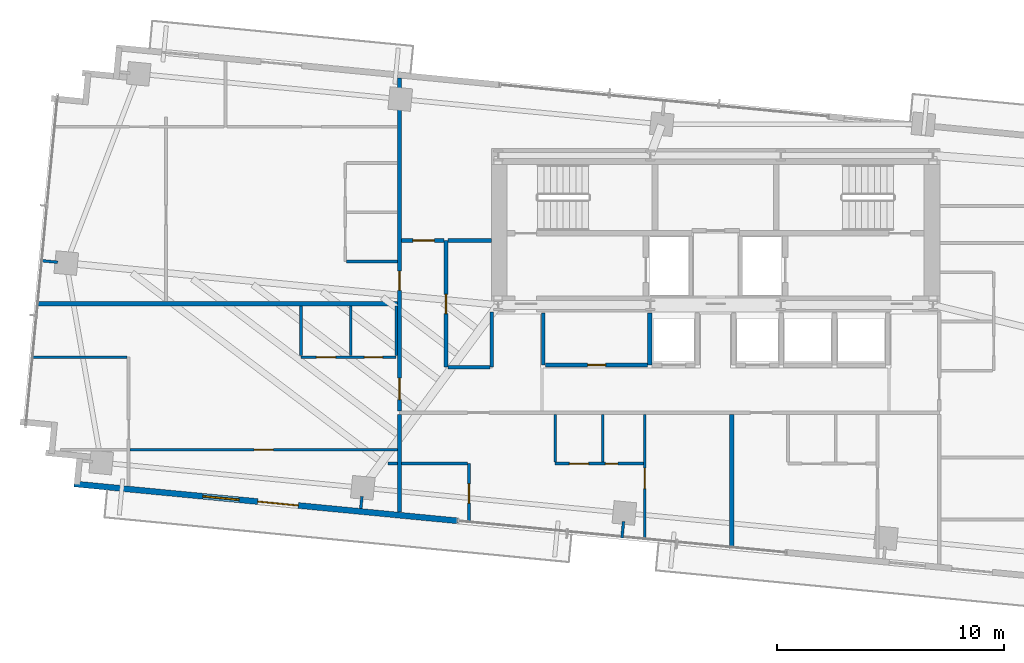
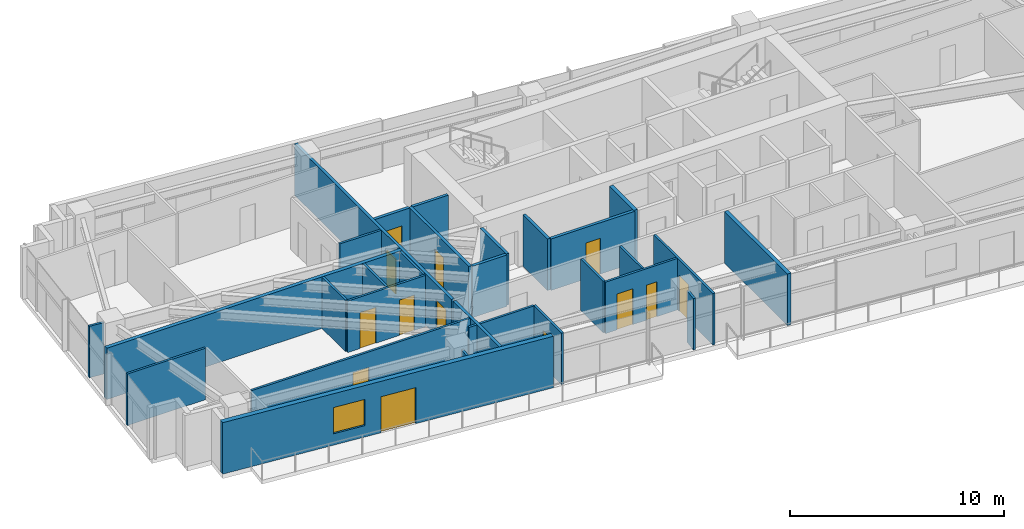
# One storey, part 15 of 20: 30 walls, 13 doors, 1 window, 14 openings.
"""IFC4 building model written with IfcOpenShell, lengths in metres."""

import ifcopenshell
import ifcopenshell.guid

model = None  # the IFC model being written
_history = None  # IfcOwnerHistory: only IFC2X3 demands one
_inside = {}  # id of a spatial element -> (the spatial element, [elements in it])
_under = {}  # id of a project, library or spatial element -> (it, [spatial elements below it])
_declared = {}  # id of a project -> (the project, [libraries it declares])
_typed = {}  # id of a type object -> (the type object, [elements of that type])
_made_of = {}  # id of a material, layer set ... -> (it, [elements and type objects made of it])


def new_model(schema):
    """Start an empty IFC model of exactly this schema.

    Asked for "IFC4X3", IfcOpenShell would pick the latest addendum, in which some entities
    have other attributes; the version numbers below select the first issue.
    IFC2X3 requires an IfcOwnerHistory on every rooted entity: one is made here for all.
    """
    global model, _history
    if schema == "IFC4X3":
        model = ifcopenshell.file(schema_version=(4, 3, 0, 0))
    else:
        model = ifcopenshell.file(schema=schema)
    _inside.clear()
    _under.clear()
    _declared.clear()
    _typed.clear()
    _made_of.clear()
    _history = None
    if model.schema == "IFC2X3":
        org = make("IfcOrganization", Name="unknown")
        user = make(
            "IfcPersonAndOrganization",
            ThePerson=make("IfcPerson", FamilyName="unknown"),
            TheOrganization=org,
        )
        app = make(
            "IfcApplication",
            ApplicationDeveloper=org,
            Version="unknown",
            ApplicationFullName="unknown",
            ApplicationIdentifier="unknown",
        )
        _history = make(
            "IfcOwnerHistory",
            OwningUser=user,
            OwningApplication=app,
            ChangeAction="ADDED",
            CreationDate=0,
        )
    return model


def make(cls, **values):
    """One entity of the class cls with the attributes given. An attribute that is None is left unset."""
    return model.create_entity(
        cls, **{name: value for name, value in values.items() if value is not None}
    )


def rooted(cls, **values):
    """An entity with a GlobalId (a new one), such as an element, a storey or a relation."""
    return make(cls, GlobalId=ifcopenshell.guid.new(), OwnerHistory=_history, **values)


def si_unit(unit_type, name, prefix=None):
    """IfcSIUnit, for example si_unit("LENGTHUNIT", "METRE", prefix="MILLI")."""
    return make("IfcSIUnit", UnitType=unit_type, Prefix=prefix, Name=name)


def assignment(units):
    """IfcUnitAssignment: the units of a project."""
    return None if units is None else make("IfcUnitAssignment", Units=units)


def point(xyz):
    """IfcCartesianPoint."""
    return None if xyz is None else make("IfcCartesianPoint", Coordinates=xyz)


def direction(xyz):
    """IfcDirection."""
    return None if xyz is None else make("IfcDirection", DirectionRatios=xyz)


def frame(location, z_axis=None, x_axis=None):
    """IfcAxis2Placement3D, a coordinate frame: its origin and axes. An axis left out is left unset."""
    return make(
        "IfcAxis2Placement3D",
        Location=point(location),
        Axis=direction(z_axis),
        RefDirection=direction(x_axis),
    )


def frame_2d(location, x_axis=None):
    """IfcAxis2Placement2D, a coordinate frame in the plane: its origin and x axis."""
    return make(
        "IfcAxis2Placement2D", Location=point(location), RefDirection=direction(x_axis)
    )


def origin():
    """The frame at (0, 0, 0) with its axes left unset."""
    return frame((0.0, 0.0, 0.0))


def place(relative_to, where):
    """IfcLocalPlacement: puts the frame where relative to a parent placement (None: the world)."""
    return make(
        "IfcLocalPlacement", PlacementRelTo=relative_to, RelativePlacement=where
    )


def context(
    kind, dimensions, precision=None, world=None, true_north=None, identifier=None
):
    """IfcGeometricRepresentationContext, for example the 3D "Model" context."""
    return make(
        "IfcGeometricRepresentationContext",
        ContextIdentifier=identifier,
        ContextType=kind,
        CoordinateSpaceDimension=dimensions,
        Precision=precision,
        WorldCoordinateSystem=world,
        TrueNorth=true_north,
    )


def subcontext(parent, identifier, kind, view, scale=None):
    """IfcGeometricRepresentationSubContext, for example "Body" below "Model"."""
    return make(
        "IfcGeometricRepresentationSubContext",
        ContextIdentifier=identifier,
        ContextType=kind,
        ParentContext=parent,
        TargetScale=scale,
        TargetView=view,
    )


def project(units=None, contexts=None):
    """IfcProject with its units and contexts."""
    return rooted(
        "IfcProject",
        Name="project",
        RepresentationContexts=contexts,
        UnitsInContext=assignment(units),
    )


def spatial(cls, under=None, at=None, **own):
    """A site, building, storey or space (cls), placed at a placement, below another one or the project."""
    s = rooted(cls, ObjectPlacement=at, **own)
    if under is not None:
        _under.setdefault(under.id(), (under, []))[1].append(s)
    return s


def profile(cls, at=None, kind="AREA", **sizes):
    """A parametric profile (cls). Its sizes go by their IFC names, for example OverallWidth=200.0."""
    return make(cls, ProfileType=kind, Position=at, **sizes)


def rectangle(**sizes):
    """IfcRectangleProfileDef."""
    return profile("IfcRectangleProfileDef", **sizes)


def extrude(swept, where, along, depth):
    """IfcExtrudedAreaSolid: the profile swept, set in the frame where, extruded along a direction by depth."""
    return make(
        "IfcExtrudedAreaSolid",
        SweptArea=swept,
        Position=where,
        ExtrudedDirection=direction(along),
        Depth=depth,
    )


def shape(context_of_items, identifier, shape_type, items):
    """IfcShapeRepresentation: the items that make up one representation, for example the "Body"."""
    return make(
        "IfcShapeRepresentation",
        ContextOfItems=context_of_items,
        RepresentationIdentifier=identifier,
        RepresentationType=shape_type,
        Items=items,
    )


def source(mapping_origin, context_of_items, identifier, shape_type, items):
    """IfcRepresentationMap: a shape defined once, which mapped items show again and again."""
    return make(
        "IfcRepresentationMap",
        MappingOrigin=mapping_origin,
        MappedRepresentation=shape(context_of_items, identifier, shape_type, items),
    )


def transform(
    local_origin,
    x_axis=None,
    y_axis=None,
    z_axis=None,
    scale=None,
    scale2=None,
    scale3=None,
    uniform=True,
):
    """IfcCartesianTransformationOperator3D, or its non-uniform kind. x_axis, y_axis, z_axis: its Axis1, 2, 3."""
    if uniform:
        return make(
            "IfcCartesianTransformationOperator3D",
            Axis1=direction(x_axis),
            Axis2=direction(y_axis),
            LocalOrigin=point(local_origin),
            Scale=scale,
            Axis3=direction(z_axis),
        )
    return make(
        "IfcCartesianTransformationOperator3DnonUniform",
        Axis1=direction(x_axis),
        Axis2=direction(y_axis),
        LocalOrigin=point(local_origin),
        Scale=scale,
        Axis3=direction(z_axis),
        Scale2=scale2,
        Scale3=scale3,
    )


def mapped(mapping_source, mapping_target):
    """IfcMappedItem: shows the shape of a source again, moved by a transform."""
    return make(
        "IfcMappedItem", MappingSource=mapping_source, MappingTarget=mapping_target
    )


def material(Name=None, Category=None):
    """IfcMaterial."""
    return make("IfcMaterial", Name=Name, Category=Category)


def layer(
    of_material, thickness, ventilated=None, Name=None, Category=None, Priority=None
):
    """IfcMaterialLayer: one layer of a wall or slab, of a material (None: an air gap)."""
    return make(
        "IfcMaterialLayer",
        Material=of_material,
        LayerThickness=thickness,
        IsVentilated=ventilated,
        Name=Name,
        Category=Category,
        Priority=Priority,
    )


def layer_set(layers, Name=None):
    """IfcMaterialLayerSet."""
    return make("IfcMaterialLayerSet", MaterialLayers=layers, LayerSetName=Name)


def made_of(thing, what):
    """Note that an element or type object is made of a material, layer set ...; save() writes the relation."""
    if what is not None:
        _made_of.setdefault(what.id(), (what, []))[1].append(thing)
    return thing


def type_object(cls, material=None, **own):
    """A type object (cls), such as IfcWallType, which elements share."""
    return made_of(rooted(cls, **own), material)


def type_shapes(of_type, sources):
    """Give a type object the sources (RepresentationMaps) that its elements show as mapped items."""
    of_type.RepresentationMaps = sources


def element(
    cls,
    number,
    at=None,
    inside=None,
    cuts=None,
    type_object=None,
    material=None,
    context=None,
    identifier="Body",
    shape_type=None,
    held_by="IfcProductDefinitionShape",
    body=None,
    shapes=None,
    **own,
):
    """One element of the class cls, such as IfcWall. Its Tag is "e" and its number.

    at: its placement. inside: the storey or other place that contains it. cuts: it is an
    opening in that element (IfcRelVoidsElement). A single representation is given by context,
    identifier, shape_type and body (its items); several are given by shapes. held_by: the class
    of the entity that holds the representations. save() writes the other relations.
    """
    e = rooted(cls, Tag="e%d" % number, ObjectPlacement=at, **own)
    if body is not None:
        shapes = [shape(context, identifier, shape_type, body)]
    if shapes is not None:
        e.Representation = make(held_by, Representations=shapes)
    if inside is not None:
        _inside.setdefault(inside.id(), (inside, []))[1].append(e)
    if cuts is not None:
        rooted(
            "IfcRelVoidsElement", RelatingBuildingElement=cuts, RelatedOpeningElement=e
        )
    if type_object is not None:
        _typed.setdefault(type_object.id(), (type_object, []))[1].append(e)
    return made_of(e, material)


def fill(opening, filler):
    """IfcRelFillsElement: the door or window that sits in an opening."""
    return rooted(
        "IfcRelFillsElement",
        RelatingOpeningElement=opening,
        RelatedBuildingElement=filler,
    )


def aggregate(whole, parts):
    """IfcRelAggregates: a whole, such as a stair, and the parts it consists of."""
    return rooted("IfcRelAggregates", RelatingObject=whole, RelatedObjects=parts)


def save(model, path):
    """Write the relations noted so far, then the file.

    IfcRelAggregates (storeys below a building ...), IfcRelContainedInSpatialStructure (elements
    in a storey), IfcRelDefinesByType, IfcRelAssociatesMaterial and IfcRelDeclares: one each for
    every whole, place, type object, material and project.
    """
    for whole, parts in _under.values():
        aggregate(whole, parts)
    for where, things in _inside.values():
        rooted(
            "IfcRelContainedInSpatialStructure",
            RelatedElements=things,
            RelatingStructure=where,
        )
    for kind, things in _typed.values():
        rooted("IfcRelDefinesByType", RelatedObjects=things, RelatingType=kind)
    for what, things in _made_of.values():
        rooted("IfcRelAssociatesMaterial", RelatedObjects=things, RelatingMaterial=what)
    for by, libraries in _declared.values():
        rooted("IfcRelDeclares", RelatingContext=by, RelatedDefinitions=libraries)
    model.write(path)


model = new_model("IFC4")

# Units and contexts
model_context = context("Model", 3, precision=1e-05, world=origin(), true_north=direction((0.0, 1.0)))
body_context = subcontext(model_context, "Body", "Model", "MODEL_VIEW")
ifc_project = project(units=[si_unit("LENGTHUNIT", "METRE"), si_unit("AREAUNIT", "SQUARE_METRE"), si_unit("VOLUMEUNIT", "CUBIC_METRE"), si_unit("PLANEANGLEUNIT", "RADIAN"), si_unit("MASSUNIT", "GRAM", prefix="KILO")], contexts=[model_context])

# Site, building, storey
site_placement = place(None, origin())
site = spatial("IfcSite", under=ifc_project, at=site_placement, CompositionType="ELEMENT")
building_placement = place(site_placement, origin())
building = spatial("IfcBuilding", under=site, at=building_placement, Name="Astriad Promenade Condominiums", CompositionType="ELEMENT")
storey_placement = place(building_placement, frame((0.0, 0.0, 134.199951171875)))
storey = spatial("IfcBuildingStorey", under=building, at=storey_placement, Name="L38", CompositionType="ELEMENT", Elevation=134.199951171875)

# Wall
ifc_material_1 = material(Name="Fire-Rated Gypsum Partition")
ifc_layer_1 = layer(ifc_material_1, 0.159912109375)
ifc_layer_set_1 = layer_set([ifc_layer_1], Name="Fire-Rated Gypsum Partition")
wall_type_1 = type_object("IfcWallType", Name="WALL-CORR-160", PredefinedType="PARTITIONING", material=ifc_layer_set_1)
wall_1_placement = place(storey_placement, frame((28.39990234375, 14.75, 0.0), z_axis=(0.0, 0.0, 1.0), x_axis=(0.0, 1.0, 0.0)))
element("IfcWall", 1, at=wall_1_placement, inside=storey, type_object=wall_type_1, Name="REC-L-W-L38", PredefinedType="PARTITIONING", context=body_context, shape_type="SweptSolid", body=[
    extrude(rectangle(XDim=2.300048828125, YDim=0.159912109375, at=frame_2d((1.14990234375, 0.0))), origin(), (0.0, 0.0, 1.0), 2.93994140625),
])

# Wall, opening, door
wall_2_placement = place(storey_placement, frame((28.48193359375, 14.75, 0.0), z_axis=(0.0, 0.0, 1.0), x_axis=(1.0, 0.0, 0.0)))
wall_2 = element("IfcWall", 2, at=wall_2_placement, inside=storey, type_object=wall_type_1, Name="REC-L-S-L38", PredefinedType="PARTITIONING", context=body_context, shape_type="SweptSolid", body=[
    extrude(rectangle(XDim=4.51611328125, YDim=0.159912109375, at=frame_2d((2.258056640625, 0.0))), origin(), (0.0, 0.0, 1.0), 2.93994140625),
])
opening_1_placement = place(wall_2_placement, frame((1.867919921875, 0.0, 0.0)))
opening_1 = element("IfcOpeningElement", 3, at=opening_1_placement, cuts=wall_2, Name="Opening FD60-SV-080", PredefinedType="OPENING", context=body_context, shape_type="SweptSolid", body=[
    extrude(rectangle(XDim=0.800048828125, YDim=2.050048828125, at=frame_2d((0.39990234375, 1.02490234375))), frame((0.0, 0.08984375, 0.0), z_axis=(0.0, -1.0, 0.0), x_axis=(1.0, 0.0, 0.0)), (0.0, 0.0, 1.0), 0.179931640625),
])
ifc_material_2 = material(Name="Fire-Rated Riser Closet Door")
door_type_1 = type_object("IfcDoorType", Name="FD60-SV-080", OperationType="NOTDEFINED", PredefinedType="DOOR", material=ifc_material_2)
shared_shape_1 = source(origin(), body_context, "Body", "SweptSolid", [
    extrude(rectangle(XDim=0.800048828125, YDim=2.050048828125, at=frame_2d((0.39990234375, 1.02490234375))), frame((0.0, 0.02490234375, 0.0), z_axis=(0.0, -1.0, 0.0), x_axis=(1.0, 0.0, 0.0)), (0.0, 0.0, 1.0), 0.050048828125),
])
type_shapes(door_type_1, [shared_shape_1])
door_1_placement = place(opening_1_placement, origin())
door_1 = element("IfcDoor", 4, at=door_1_placement, inside=storey, type_object=door_type_1, Name="D-RECL-L38", OperationType="SINGLE_SWING_LEFT", OverallHeight=2.050048828125, OverallWidth=0.800048828125, PredefinedType="DOOR", context=body_context, shape_type="MappedRepresentation", body=[
    mapped(shared_shape_1, transform((0.0, 0.0, 0.0), scale=1.0)),
])
fill(opening_1, door_1)

# Wall
wall_3_placement = place(storey_placement, frame((22.050048828125, 8.253173828125, 0.0), z_axis=(0.0, 0.0, 1.0), x_axis=(0.0, 1.0, 0.0)))
element("IfcWall", 5, at=wall_3_placement, inside=storey, type_object=wall_type_1, Name="PT-COR-W-L38", PredefinedType="PARTITIONING", context=body_context, shape_type="SweptSolid", body=[
    extrude(rectangle(XDim=4.31494140625, YDim=0.159912109375, at=frame_2d((2.157470703125, 0.0))), origin(), (0.0, 0.0, 1.0), 2.93994140625),
])

# Wall, openings, doors
wall_4_placement = place(storey_placement, frame((22.050048828125, 12.73193359375, 0.0), z_axis=(0.0, 0.0, 1.0), x_axis=(0.0, 1.0, 0.0)))
wall_4 = element("IfcWall", 6, at=wall_4_placement, inside=storey, type_object=wall_type_1, Name="PT-COR-W-L38-S2", PredefinedType="PARTITIONING", context=body_context, shape_type="SweptSolid", body=[
    extrude(rectangle(XDim=14.685302734375, YDim=0.159912109375, at=frame_2d((7.3427734375, 0.0))), origin(), (0.0, 0.0, 1.0), 2.93994140625),
])
opening_2_placement = place(wall_4_placement, frame((0.492919921875, 0.0, 0.0)))
opening_2 = element("IfcOpeningElement", 7, at=opening_2_placement, cuts=wall_4, Name="Opening FD60-APT-095", PredefinedType="OPENING", context=body_context, shape_type="SweptSolid", body=[
    extrude(rectangle(XDim=0.949951171875, YDim=2.06005859375, at=frame_2d((0.47509765625, 1.030029296875))), frame((0.0, 0.08984375, 0.0), z_axis=(0.0, -1.0, 0.0), x_axis=(1.0, 0.0, 0.0)), (0.0, 0.0, 1.0), 0.179931640625),
])
opening_3_placement = place(wall_4_placement, frame((5.31298828125, 0.0, 0.0)))
opening_3 = element("IfcOpeningElement", 8, at=opening_3_placement, cuts=wall_4, Name="Opening FD60-ULOW-085", PredefinedType="OPENING", context=body_context, shape_type="SweptSolid", body=[
    extrude(rectangle(XDim=0.85009765625, YDim=2.0, at=frame_2d((0.425048828125, 1.0))), frame((0.0, 0.08984375, 0.0), z_axis=(0.0, -1.0, 0.0), x_axis=(1.0, 0.0, 0.0)), (0.0, 0.0, 1.0), 0.179931640625),
])
ifc_material_3 = material(Name="Solid-Core Acoustic Timber Residence Entry Door", Category="wood")
door_type_2 = type_object("IfcDoorType", Name="FD60-APT-095", OperationType="NOTDEFINED", PredefinedType="DOOR", material=ifc_material_3)
shared_shape_2 = source(origin(), body_context, "Body", "SweptSolid", [
    extrude(rectangle(XDim=0.949951171875, YDim=2.06005859375, at=frame_2d((0.47509765625, 1.030029296875))), frame((0.0, 0.02490234375, 0.0), z_axis=(0.0, -1.0, 0.0), x_axis=(1.0, 0.0, 0.0)), (0.0, 0.0, 1.0), 0.050048828125),
])
type_shapes(door_type_2, [shared_shape_2])
door_2_placement = place(opening_2_placement, origin())
door_2 = element("IfcDoor", 9, at=door_2_placement, inside=storey, type_object=door_type_2, Name="D-ENT-L38-W1", OperationType="SINGLE_SWING_LEFT", OverallHeight=2.06005859375, OverallWidth=0.949951171875, PredefinedType="DOOR", context=body_context, shape_type="MappedRepresentation", body=[
    mapped(shared_shape_2, transform((0.0, 0.0, 0.0), scale=1.0)),
])
fill(opening_2, door_2)
ifc_material_4 = material(Name="Solid-Core Low-Headroom Fire Door")
door_type_3 = type_object("IfcDoorType", Name="FD60-ULOW-085", OperationType="NOTDEFINED", PredefinedType="DOOR", material=ifc_material_4)
shared_shape_3 = source(origin(), body_context, "Body", "SweptSolid", [
    extrude(rectangle(XDim=0.85009765625, YDim=2.0, at=frame_2d((0.425048828125, 1.0))), frame((0.0, 0.02490234375, 0.0), z_axis=(0.0, -1.0, 0.0), x_axis=(1.0, 0.0, 0.0)), (0.0, 0.0, 1.0), 0.050048828125),
])
type_shapes(door_type_3, [shared_shape_3])
door_3_placement = place(opening_3_placement, origin())
door_3 = element("IfcDoor", 10, at=door_3_placement, inside=storey, type_object=door_type_3, Name="D-ENT-L38-W2", OperationType="SINGLE_SWING_RIGHT", OverallHeight=2.0, OverallWidth=0.85009765625, PredefinedType="DOOR", context=body_context, shape_type="MappedRepresentation", body=[
    mapped(shared_shape_3, transform((0.0, 0.0, 0.0), scale=1.0)),
])
fill(opening_3, door_3)

# Wall, opening, door
wall_5_placement = place(storey_placement, frame((24.10009765625, 14.659912109375, 0.0), z_axis=(0.0, 0.0, 1.0), x_axis=(0.0, 1.0, 0.0)))
wall_5 = element("IfcWall", 11, at=wall_5_placement, inside=storey, type_object=wall_type_1, Name="PT-HK-E-L38", PredefinedType="PARTITIONING", context=body_context, shape_type="SweptSolid", body=[
    extrude(rectangle(XDim=5.590087890625, YDim=0.159912109375, at=frame_2d((2.794921875, 0.0))), origin(), (0.0, 0.0, 1.0), 2.93994140625),
])
opening_4_placement = place(wall_5_placement, frame((2.360107421875, 0.0, 0.0)))
opening_4 = element("IfcOpeningElement", 12, at=opening_4_placement, cuts=wall_5, Name="Opening FD60-ULOW-085", PredefinedType="OPENING", context=body_context, shape_type="SweptSolid", body=[
    extrude(rectangle(XDim=0.85009765625, YDim=2.0, at=frame_2d((0.425048828125, 1.0))), frame((0.0, 0.08984375, 0.0), z_axis=(0.0, -1.0, 0.0), x_axis=(1.0, 0.0, 0.0)), (0.0, 0.0, 1.0), 0.179931640625),
])
door_4_placement = place(opening_4_placement, origin())
door_4 = element("IfcDoor", 13, at=door_4_placement, inside=storey, type_object=door_type_3, Name="D-HKA-L38", OperationType="SINGLE_SWING_RIGHT", OverallHeight=2.0, OverallWidth=0.85009765625, PredefinedType="DOOR", context=body_context, shape_type="MappedRepresentation", body=[
    mapped(shared_shape_3, transform((0.0, 0.0, 0.0), scale=1.0)),
])
fill(opening_4, door_4)

wall_6_placement = place(storey_placement, frame((22.132080078125, 20.25, 0.0), z_axis=(0.0, 0.0, 1.0), x_axis=(1.0, 0.0, 0.0)))
wall_6 = element("IfcWall", 14, at=wall_6_placement, inside=storey, type_object=wall_type_1, Name="PT-HK-N-L38", PredefinedType="PARTITIONING", context=body_context, shape_type="SweptSolid", body=[
    extrude(rectangle(XDim=1.885986328125, YDim=0.159912109375, at=frame_2d((0.94287109375, 0.0))), origin(), (0.0, 0.0, 1.0), 2.93994140625),
])
opening_5_placement = place(wall_6_placement, frame((0.508056640625, 0.0, 0.0)))
opening_5 = element("IfcOpeningElement", 15, at=opening_5_placement, cuts=wall_6, Name="Opening FD60-APT-095", PredefinedType="OPENING", context=body_context, shape_type="SweptSolid", body=[
    extrude(rectangle(XDim=0.949951171875, YDim=2.06005859375, at=frame_2d((0.47509765625, 1.030029296875))), frame((0.0, 0.08984375, 0.0), z_axis=(0.0, -1.0, 0.0), x_axis=(1.0, 0.0, 0.0)), (0.0, 0.0, 1.0), 0.179931640625),
])
door_5_placement = place(opening_5_placement, origin())
door_5 = element("IfcDoor", 16, at=door_5_placement, inside=storey, type_object=door_type_2, Name="D-HKB-L38", OperationType="SINGLE_SWING_LEFT", OverallHeight=2.06005859375, OverallWidth=0.949951171875, PredefinedType="DOOR", context=body_context, shape_type="MappedRepresentation", body=[
    mapped(shared_shape_2, transform((0.0, 0.0, 0.0), scale=1.0)),
])
fill(opening_5, door_5)

# Walls
wall_7_placement = place(storey_placement, frame((24.181884765625, 20.25, 0.0), z_axis=(0.0, 0.0, 1.0), x_axis=(1.0, 0.0, 0.0)))
element("IfcWall", 17, at=wall_7_placement, inside=storey, type_object=wall_type_1, Name="PT-HK-N-L38-S2", PredefinedType="PARTITIONING", context=body_context, shape_type="SweptSolid", body=[
    extrude(rectangle(XDim=1.916015625, YDim=0.159912109375, at=frame_2d((0.9580078125, 0.0))), origin(), (0.0, 0.0, 1.0), 2.93994140625),
])
wall_8_placement = place(storey_placement, frame((26.1201171875, 14.659912109375, 0.0), z_axis=(0.0, 0.0, 1.0), x_axis=(0.0, 1.0, 0.0)))
element("IfcWall", 18, at=wall_8_placement, inside=storey, type_object=wall_type_1, Name="PT-WSPUR-W-L38", PredefinedType="PARTITIONING", context=body_context, shape_type="SweptSolid", body=[
    extrude(rectangle(XDim=2.43798828125, YDim=0.159912109375, at=frame_2d((1.218994140625, 0.0))), origin(), (0.0, 0.0, 1.0), 2.93994140625),
])
wall_9_placement = place(storey_placement, frame((24.181884765625, 14.659912109375, 0.0), z_axis=(0.0, 0.0, 1.0), x_axis=(1.0, 0.0, 0.0)))
element("IfcWall", 19, at=wall_9_placement, inside=storey, type_object=wall_type_1, Name="PT-HK-S-L38", PredefinedType="PARTITIONING", context=body_context, shape_type="SweptSolid", body=[
    extrude(rectangle(XDim=1.856201171875, YDim=0.159912109375, at=frame_2d((0.92822265625, 0.0))), origin(), (0.0, 0.0, 1.0), 2.93994140625),
])
ifc_material_5 = material(Name="Acoustic Double-Stud Gypsum Partition")
ifc_layer_2 = layer(ifc_material_5, 0.199951171875)
ifc_layer_set_2 = layer_set([ifc_layer_2], Name="Acoustic Double-Stud Gypsum Partition")
wall_type_2 = type_object("IfcWallType", Name="WALL-DEMISING-200", PredefinedType="PARTITIONING", material=ifc_layer_set_2)
wall_10_placement = place(storey_placement, frame((36.719970703125, 6.65771484375, 0.0), z_axis=(0.0, 0.0, 1.0), x_axis=(0.0, 1.0, 0.0)))
element("IfcWall", 20, at=wall_10_placement, inside=storey, type_object=wall_type_2, Name="PT-DEM-S1-L38", PredefinedType="PARTITIONING", context=body_context, shape_type="SweptSolid", body=[
    extrude(rectangle(XDim=5.910400390625, YDim=0.199951171875, at=frame_2d((2.955078125, 0.0))), origin(), (0.0, 0.0, 1.0), 2.93994140625),
])
wall_11_placement = place(storey_placement, frame((6.01904296875, 17.449951171875, 0.0), z_axis=(0.0, 0.0, 1.0), x_axis=(1.0, 0.0, 0.0)))
element("IfcWall", 21, at=wall_11_placement, inside=storey, type_object=wall_type_2, Name="PT-DEM-WW-L38", PredefinedType="PARTITIONING", context=body_context, shape_type="SweptSolid", body=[
    extrude(rectangle(XDim=15.948974609375, YDim=0.199951171875, at=frame_2d((7.974609375, 0.0))), origin(), (0.0, 0.0, 1.0), 2.93994140625),
])

# Wall, openings, door, window
ifc_material_6 = material(Name="Precast concrete C50/60", Category="concrete")
ifc_layer_3 = layer(ifc_material_6, 0.260009765625)
ifc_layer_set_3 = layer_set([ifc_layer_3], Name="Precast concrete C50/60")
wall_type_3 = type_object("IfcWallType", Name="WALL-EXT-TWR-260", PredefinedType="STANDARD", material=ifc_layer_set_3)
wall_12_placement = place(storey_placement, frame((24.61669921875, 7.873291015625, 0.0), z_axis=(0.0, 0.0, 1.0), x_axis=(-0.995395976631, 0.095848055311, 0.0)))
wall_12 = element("IfcWall", 22, at=wall_12_placement, inside=storey, type_object=wall_type_3, Name="W-EXT-L38-S2", PredefinedType="STANDARD", context=body_context, shape_type="SweptSolid", body=[
    extrude(rectangle(XDim=17.010009765625, YDim=0.260009765625, at=frame_2d((8.5048828125, 0.0))), origin(), (0.0, 0.0, 1.0), 2.93994140625),
])
opening_6_placement = place(wall_12_placement, frame((7.070068359375, 0.0, 0.0)))
opening_6 = element("IfcOpeningElement", 23, at=opening_6_placement, cuts=wall_12, Name="Opening BD-1822-SLD", PredefinedType="OPENING", context=body_context, shape_type="SweptSolid", body=[
    extrude(rectangle(XDim=1.800048828125, YDim=2.06005859375, at=frame_2d((0.89990234375, 1.030029296875))), frame((0.0, 0.139892578125, 0.0), z_axis=(0.0, -1.0, 0.0), x_axis=(1.0, 0.0, 0.0)), (0.0, 0.0, 1.0), 0.280029296875),
])
opening_7_placement = place(wall_12_placement, frame((9.699951171875, 0.0, 0.64990234375)))
opening_7 = element("IfcOpeningElement", 24, at=opening_7_placement, cuts=wall_12, Name="Opening WIN-TWR-1620", PredefinedType="OPENING", context=body_context, shape_type="SweptSolid", body=[
    extrude(rectangle(XDim=1.60009765625, YDim=1.5, at=frame_2d((0.800048828125, 0.75))), frame((0.0, 0.139892578125, 0.0), z_axis=(0.0, -1.0, 0.0), x_axis=(1.0, 0.0, 0.0)), (0.0, 0.0, 1.0), 0.280029296875),
])
ifc_material_7 = material(Name="Thermally Broken Aluminium Sliding Balcony Door", Category="aluminium")
door_type_4 = type_object("IfcDoorType", Name="BD-1822-SLD", OperationType="NOTDEFINED", PredefinedType="DOOR", material=ifc_material_7)
shared_shape_4 = source(origin(), body_context, "Body", "SweptSolid", [
    extrude(rectangle(XDim=1.800048828125, YDim=2.06005859375, at=frame_2d((0.89990234375, 1.030029296875))), frame((0.0, 0.02490234375, 0.0), z_axis=(0.0, -1.0, 0.0), x_axis=(1.0, 0.0, 0.0)), (0.0, 0.0, 1.0), 0.050048828125),
])
type_shapes(door_type_4, [shared_shape_4])
door_6_placement = place(opening_6_placement, origin())
door_6 = element("IfcDoor", 25, at=door_6_placement, inside=storey, type_object=door_type_4, Name="BD-L38-SW", OperationType="SLIDING_TO_LEFT", OverallHeight=2.06005859375, OverallWidth=1.800048828125, PredefinedType="DOOR", context=body_context, shape_type="MappedRepresentation", body=[
    mapped(shared_shape_4, transform((0.0, 0.0, 0.0), scale=1.0)),
])
fill(opening_6, door_6)
ifc_material_8 = material(Name="Dark Tinted Triple-Glazed Aluminium Window", Category="aluminium")
window_type = type_object("IfcWindowType", Name="WIN-TWR-1620", PartitioningType="SINGLE_PANEL", PredefinedType="WINDOW", material=ifc_material_8)
shared_shape_5 = source(origin(), body_context, "Body", "SweptSolid", [
    extrude(rectangle(XDim=1.60009765625, YDim=1.5, at=frame_2d((0.800048828125, 0.75))), frame((0.0, 0.030029296875, 0.0), z_axis=(0.0, -1.0, 0.0), x_axis=(1.0, 0.0, 0.0)), (0.0, 0.0, 1.0), 0.06005859375),
])
type_shapes(window_type, [shared_shape_5])
window_placement = place(opening_7_placement, origin())
window = element("IfcWindow", 26, at=window_placement, inside=storey, type_object=window_type, Name="WIN-L38-SW", OverallHeight=1.5, OverallWidth=1.60009765625, PartitioningType="SINGLE_PANEL", PredefinedType="WINDOW", context=body_context, shape_type="MappedRepresentation", body=[
    mapped(shared_shape_5, transform((0.0, 0.0, 0.0), scale=1.0)),
])
fill(opening_7, window)

# Wall, opening, door
ifc_material_9 = material(Name="Acoustic Metal-Stud Gypsum Partition")
ifc_layer_4 = layer(ifc_material_9, 0.1201171875)
ifc_layer_set_4 = layer_set([ifc_layer_4], Name="Acoustic Metal-Stud Gypsum Partition")
wall_type_4 = type_object("IfcWallType", Name="WALL-PART-120", PredefinedType="PARTITIONING", material=ifc_layer_set_4)
wall_13_placement = place(storey_placement, frame((32.8701171875, 7.0283203125, 0.0), z_axis=(0.0, 0.0, 1.0), x_axis=(0.0, 1.0, 0.0)))
wall_13 = element("IfcWall", 27, at=wall_13_placement, inside=storey, type_object=wall_type_4, Name="PT-L38-S1-BD1", PredefinedType="PARTITIONING", context=body_context, shape_type="SweptSolid", body=[
    extrude(rectangle(XDim=5.539794921875, YDim=0.1201171875, at=frame_2d((2.77001953125, 0.0))), origin(), (0.0, 0.0, 1.0), 2.93994140625),
])
opening_8_placement = place(wall_13_placement, frame((2.271728515625, 0.0, 0.0)))
opening_8 = element("IfcOpeningElement", 28, at=opening_8_placement, cuts=wall_13, Name="Opening D-INT-090", PredefinedType="OPENING", context=body_context, shape_type="SweptSolid", body=[
    extrude(rectangle(XDim=0.89990234375, YDim=2.050048828125, at=frame_2d((0.449951171875, 1.02490234375))), frame((0.0, 0.070068359375, 0.0), z_axis=(0.0, -1.0, 0.0), x_axis=(1.0, 0.0, 0.0)), (0.0, 0.0, 1.0), 0.14013671875),
])
ifc_material_10 = material(Name="Painted Solid-Core Timber Bedroom Door", Category="wood")
door_type_5 = type_object("IfcDoorType", Name="D-INT-090", OperationType="NOTDEFINED", PredefinedType="DOOR", material=ifc_material_10)
shared_shape_6 = source(origin(), body_context, "Body", "SweptSolid", [
    extrude(rectangle(XDim=0.89990234375, YDim=2.050048828125, at=frame_2d((0.449951171875, 1.02490234375))), frame((0.0, 0.02490234375, 0.0), z_axis=(0.0, -1.0, 0.0), x_axis=(1.0, 0.0, 0.0)), (0.0, 0.0, 1.0), 0.050048828125),
])
type_shapes(door_type_5, [shared_shape_6])
door_7_placement = place(opening_8_placement, origin())
door_7 = element("IfcDoor", 29, at=door_7_placement, inside=storey, type_object=door_type_5, Name="D-BD1-L38-S1", OperationType="SINGLE_SWING_RIGHT", OverallHeight=2.050048828125, OverallWidth=0.89990234375, PredefinedType="DOOR", context=body_context, shape_type="MappedRepresentation", body=[
    mapped(shared_shape_6, transform((0.0, 0.0, 0.0), scale=1.0)),
])
fill(opening_8, door_7)

# Wall, openings, doors
wall_14_placement = place(storey_placement, frame((28.919921875, 10.39990234375, 0.0), z_axis=(0.0, 0.0, 1.0), x_axis=(1.0, 0.0, 0.0)))
wall_14 = element("IfcWall", 30, at=wall_14_placement, inside=storey, type_object=wall_type_4, Name="PT-L38-S1-PS", PredefinedType="PARTITIONING", context=body_context, shape_type="SweptSolid", body=[
    extrude(rectangle(XDim=3.88818359375, YDim=0.1201171875, at=frame_2d((1.944091796875, 0.0))), origin(), (0.0, 0.0, 1.0), 2.93994140625),
])
opening_9_placement = place(wall_14_placement, frame((0.625, 0.0, 0.0)))
opening_9 = element("IfcOpeningElement", 31, at=opening_9_placement, cuts=wall_14, Name="Opening D-INT-085", PredefinedType="OPENING", context=body_context, shape_type="SweptSolid", body=[
    extrude(rectangle(XDim=0.85009765625, YDim=2.050048828125, at=frame_2d((0.425048828125, 1.02490234375))), frame((0.0, 0.070068359375, 0.0), z_axis=(0.0, -1.0, 0.0), x_axis=(1.0, 0.0, 0.0)), (0.0, 0.0, 1.0), 0.14013671875),
])
opening_10_placement = place(wall_14_placement, frame((2.219970703125, 0.0, 0.0)))
opening_10 = element("IfcOpeningElement", 32, at=opening_10_placement, cuts=wall_14, Name="Opening D-AC-055", PredefinedType="OPENING", context=body_context, shape_type="SweptSolid", body=[
    extrude(rectangle(XDim=0.550048828125, YDim=2.0, at=frame_2d((0.27490234375, 1.0))), frame((0.0, 0.070068359375, 0.0), z_axis=(0.0, -1.0, 0.0), x_axis=(1.0, 0.0, 0.0)), (0.0, 0.0, 1.0), 0.14013671875),
])
ifc_material_11 = material(Name="Painted Solid-Core Timber Room Door", Category="wood")
door_type_6 = type_object("IfcDoorType", Name="D-INT-085", OperationType="NOTDEFINED", PredefinedType="DOOR", material=ifc_material_11)
shared_shape_7 = source(origin(), body_context, "Body", "SweptSolid", [
    extrude(rectangle(XDim=0.85009765625, YDim=2.050048828125, at=frame_2d((0.425048828125, 1.02490234375))), frame((0.0, 0.02490234375, 0.0), z_axis=(0.0, -1.0, 0.0), x_axis=(1.0, 0.0, 0.0)), (0.0, 0.0, 1.0), 0.050048828125),
])
type_shapes(door_type_6, [shared_shape_7])
door_8_placement = place(opening_9_placement, origin())
door_8 = element("IfcDoor", 33, at=door_8_placement, inside=storey, type_object=door_type_6, Name="D-KIT-L38-S1", OperationType="SINGLE_SWING_LEFT", OverallHeight=2.050048828125, OverallWidth=0.85009765625, PredefinedType="DOOR", context=body_context, shape_type="MappedRepresentation", body=[
    mapped(shared_shape_7, transform((0.0, 0.0, 0.0), scale=1.0)),
])
fill(opening_9, door_8)
ifc_material_12 = material(Name="Painted Timber Access Door", Category="wood")
door_type_7 = type_object("IfcDoorType", Name="D-AC-055", OperationType="NOTDEFINED", PredefinedType="DOOR", material=ifc_material_12)
shared_shape_8 = source(origin(), body_context, "Body", "SweptSolid", [
    extrude(rectangle(XDim=0.550048828125, YDim=2.0, at=frame_2d((0.27490234375, 1.0))), frame((0.0, 0.02490234375, 0.0), z_axis=(0.0, -1.0, 0.0), x_axis=(1.0, 0.0, 0.0)), (0.0, 0.0, 1.0), 0.050048828125),
])
type_shapes(door_type_7, [shared_shape_8])
door_9_placement = place(opening_10_placement, origin())
door_9 = element("IfcDoor", 34, at=door_9_placement, inside=storey, type_object=door_type_7, Name="D-BTH-L38-S1", OperationType="SINGLE_SWING_RIGHT", OverallHeight=2.0, OverallWidth=0.550048828125, PredefinedType="DOOR", context=body_context, shape_type="MappedRepresentation", body=[
    mapped(shared_shape_8, transform((0.0, 0.0, 0.0), scale=1.0)),
])
fill(opening_10, door_9)

# Walls
for number, where, z_axis, x_axis, name in (
    (35, (31.02001953125, 10.4619140625, 0.0), (0.0, 0.0, 1.0), (0.0, 1.0, 0.0), "PT-L38-S1-PBK"),
    (36, (28.919921875, 10.4619140625, 0.0), (0.0, 0.0, 1.0), (0.0, 1.0, 0.0), "PT-L38-S1-PKW"),
):
    element("IfcWall", number, at=place(storey_placement, frame(where, z_axis=z_axis, x_axis=x_axis)), inside=storey, type_object=wall_type_4, Name=name, PredefinedType="PARTITIONING", context=body_context, shape_type="SweptSolid", body=[
        extrude(rectangle(XDim=2.106201171875, YDim=0.1201171875, at=frame_2d((1.05322265625, 0.0))), origin(), (0.0, 0.0, 1.0), 2.93994140625),
    ])

# Wall, opening, door
wall_15_placement = place(storey_placement, frame((25.117919921875, 7.77490234375, 0.0), z_axis=(0.0, 0.0, 1.0), x_axis=(0.0, 1.0, 0.0)))
wall_15 = element("IfcWall", 37, at=wall_15_placement, inside=storey, type_object=wall_type_4, Name="PT-L38-S1-EXV", PredefinedType="PARTITIONING", context=body_context, shape_type="SweptSolid", body=[
    extrude(rectangle(XDim=2.625, YDim=0.1201171875, at=frame_2d((1.3125, 0.0))), origin(), (0.0, 0.0, 1.0), 2.93994140625),
])
opening_11_placement = place(wall_15_placement, frame((0.880126953125, 0.0, 0.0)))
opening_11 = element("IfcOpeningElement", 38, at=opening_11_placement, cuts=wall_15, Name="Opening D-INT-085", PredefinedType="OPENING", context=body_context, shape_type="SweptSolid", body=[
    extrude(rectangle(XDim=0.85009765625, YDim=2.050048828125, at=frame_2d((0.425048828125, 1.02490234375))), frame((0.0, 0.070068359375, 0.0), z_axis=(0.0, -1.0, 0.0), x_axis=(1.0, 0.0, 0.0)), (0.0, 0.0, 1.0), 0.14013671875),
])
door_10_placement = place(opening_11_placement, origin())
door_10 = element("IfcDoor", 39, at=door_10_placement, inside=storey, type_object=door_type_6, Name="D-EX-L38-S1", OperationType="SINGLE_SWING_RIGHT", OverallHeight=2.050048828125, OverallWidth=0.85009765625, PredefinedType="DOOR", context=body_context, shape_type="MappedRepresentation", body=[
    mapped(shared_shape_7, transform((0.0, 0.0, 0.0), scale=1.0)),
])
fill(opening_11, door_10)

# Walls
wall_16_placement = place(storey_placement, frame((21.550048828125, 10.39990234375, 0.0), z_axis=(0.0, 0.0, 1.0), x_axis=(1.0, 0.0, 0.0)))
element("IfcWall", 40, at=wall_16_placement, inside=storey, type_object=wall_type_4, Name="PT-L38-S1-EXH", PredefinedType="PARTITIONING", context=body_context, shape_type="SweptSolid", body=[
    extrude(rectangle(XDim=0.41796875, YDim=0.1201171875, at=frame_2d((0.208984375, 0.0))), origin(), (0.0, 0.0, 1.0), 2.93994140625),
])
wall_17_placement = place(storey_placement, frame((22.132080078125, 10.39990234375, 0.0), z_axis=(0.0, 0.0, 1.0), x_axis=(1.0, 0.0, 0.0)))
element("IfcWall", 41, at=wall_17_placement, inside=storey, type_object=wall_type_4, Name="PT-L38-S1-EXH-S2", PredefinedType="PARTITIONING", context=body_context, shape_type="SweptSolid", body=[
    extrude(rectangle(XDim=2.923828125, YDim=0.1201171875, at=frame_2d((1.4619140625, 0.0))), origin(), (0.0, 0.0, 1.0), 2.93994140625),
])

# Wall, openings, doors
wall_18_placement = place(storey_placement, frame((17.699951171875, 15.10009765625, 0.0), z_axis=(0.0, 0.0, 1.0), x_axis=(1.0, 0.0, 0.0)))
wall_18 = element("IfcWall", 42, at=wall_18_placement, inside=storey, type_object=wall_type_4, Name="PT-L38-W1-PH", PredefinedType="PARTITIONING", context=body_context, shape_type="SweptSolid", body=[
    extrude(rectangle(XDim=4.199951171875, YDim=0.1201171875, at=frame_2d((2.10009765625, 0.0))), origin(), (0.0, 0.0, 1.0), 2.93994140625),
])
opening_12_placement = place(wall_18_placement, frame((0.675048828125, 0.0, 0.0)))
opening_12 = element("IfcOpeningElement", 43, at=opening_12_placement, cuts=wall_18, Name="Opening D-INT-085", PredefinedType="OPENING", context=body_context, shape_type="SweptSolid", body=[
    extrude(rectangle(XDim=0.85009765625, YDim=2.050048828125, at=frame_2d((0.425048828125, 1.02490234375))), frame((0.0, 0.070068359375, 0.0), z_axis=(0.0, -1.0, 0.0), x_axis=(1.0, 0.0, 0.0)), (0.0, 0.0, 1.0), 0.14013671875),
])
opening_13_placement = place(wall_18_placement, frame((2.800048828125, 0.0, 0.0)))
opening_13 = element("IfcOpeningElement", 44, at=opening_13_placement, cuts=wall_18, Name="Opening D-WET-080", PredefinedType="OPENING", context=body_context, shape_type="SweptSolid", body=[
    extrude(rectangle(XDim=0.800048828125, YDim=2.02001953125, at=frame_2d((0.39990234375, 1.010009765625))), frame((0.0, 0.070068359375, 0.0), z_axis=(0.0, -1.0, 0.0), x_axis=(1.0, 0.0, 0.0)), (0.0, 0.0, 1.0), 0.14013671875),
])
ifc_material_13 = material(Name="Moisture-Resistant Timber Bathroom Door", Category="wood")
door_type_8 = type_object("IfcDoorType", Name="D-WET-080", OperationType="NOTDEFINED", PredefinedType="DOOR", material=ifc_material_13)
shared_shape_9 = source(origin(), body_context, "Body", "SweptSolid", [
    extrude(rectangle(XDim=0.800048828125, YDim=2.02001953125, at=frame_2d((0.39990234375, 1.010009765625))), frame((0.0, 0.02490234375, 0.0), z_axis=(0.0, -1.0, 0.0), x_axis=(1.0, 0.0, 0.0)), (0.0, 0.0, 1.0), 0.050048828125),
])
type_shapes(door_type_8, [shared_shape_9])
door_11_placement = place(opening_13_placement, origin())
door_11 = element("IfcDoor", 45, at=door_11_placement, inside=storey, type_object=door_type_8, Name="D-BTH-L38-W1", OperationType="SINGLE_SWING_LEFT", OverallHeight=2.02001953125, OverallWidth=0.800048828125, PredefinedType="DOOR", context=body_context, shape_type="MappedRepresentation", body=[
    mapped(shared_shape_9, transform((0.0, 0.0, 0.0), scale=1.0)),
])
fill(opening_13, door_11)
door_12_placement = place(opening_12_placement, origin())
door_12 = element("IfcDoor", 46, at=door_12_placement, inside=storey, type_object=door_type_6, Name="D-KIT-L38-W1", OperationType="SINGLE_SWING_RIGHT", OverallHeight=2.050048828125, OverallWidth=0.85009765625, PredefinedType="DOOR", context=body_context, shape_type="MappedRepresentation", body=[
    mapped(shared_shape_7, transform((0.0, 0.0, 0.0), scale=1.0)),
])
fill(opening_12, door_12)

# Walls
for number, where, z_axis, x_axis, name in (
    (47, (17.699951171875, 15.162109375, 0.0), (0.0, 0.0, 1.0), (0.0, 1.0, 0.0), "PT-L38-W1-PK1"),
    (48, (19.89990234375, 15.162109375, 0.0), (0.0, 0.0, 1.0), (0.0, 1.0, 0.0), "PT-L38-W1-PK2"),
    (49, (21.89990234375, 15.162109375, 0.0), (0.0, 0.0, 1.0), (0.0, 1.0, 0.0), "PT-L38-W1-PK3"),
):
    element("IfcWall", number, at=place(storey_placement, frame(where, z_axis=z_axis, x_axis=x_axis)), inside=storey, type_object=wall_type_4, Name=name, PredefinedType="PARTITIONING", context=body_context, shape_type="SweptSolid", body=[
        extrude(rectangle(XDim=2.185791015625, YDim=0.1201171875, at=frame_2d((1.0927734375, 0.0))), origin(), (0.0, 0.0, 1.0), 2.93994140625),
    ])
wall_19_placement = place(storey_placement, frame((5.792724609375, 15.10009765625, 0.0), z_axis=(0.0, 0.0, 1.0), x_axis=(1.0, 0.0, 0.0)))
element("IfcWall", 50, at=wall_19_placement, inside=storey, type_object=wall_type_4, Name="PT-L38-W1-CAP1H", PredefinedType="PARTITIONING", context=body_context, shape_type="SweptSolid", body=[
    extrude(rectangle(XDim=4.234375, YDim=0.1201171875, at=frame_2d((2.1171875, 0.0))), origin(), (0.0, 0.0, 1.0), 2.93994140625),
])

# Wall, opening, door
wall_20_placement = place(storey_placement, frame((10.15087890625, 11.01611328125, 0.0), z_axis=(0.0, 0.0, 1.0), x_axis=(1.0, 0.0, 0.0)))
wall_20 = element("IfcWall", 51, at=wall_20_placement, inside=storey, type_object=wall_type_4, Name="PT-L38-W1-CAPH2-S2", PredefinedType="PARTITIONING", context=body_context, shape_type="SweptSolid", body=[
    extrude(rectangle(XDim=11.817138671875, YDim=0.1201171875, at=frame_2d((5.90869140625, 0.0))), origin(), (0.0, 0.0, 1.0), 2.93994140625),
])
opening_14_placement = place(wall_20_placement, frame((5.48291015625, 0.0, 0.0)))
opening_14 = element("IfcOpeningElement", 52, at=opening_14_placement, cuts=wall_20, Name="Opening D-INT-085", PredefinedType="OPENING", context=body_context, shape_type="SweptSolid", body=[
    extrude(rectangle(XDim=0.85009765625, YDim=2.050048828125, at=frame_2d((0.425048828125, 1.02490234375))), frame((0.0, 0.070068359375, 0.0), z_axis=(0.0, -1.0, 0.0), x_axis=(1.0, 0.0, 0.0)), (0.0, 0.0, 1.0), 0.14013671875),
])
door_13_placement = place(opening_14_placement, origin())
door_13 = element("IfcDoor", 53, at=door_13_placement, inside=storey, type_object=door_type_6, Name="D-CAPH2-L38-W1", OperationType="SINGLE_SWING_LEFT", OverallHeight=2.050048828125, OverallWidth=0.85009765625, PredefinedType="DOOR", context=body_context, shape_type="MappedRepresentation", body=[
    mapped(shared_shape_7, transform((0.0, 0.0, 0.0), scale=1.0)),
])
fill(opening_14, door_13)

# Walls
wall_21_placement = place(storey_placement, frame((19.7119140625, 19.320068359375, 0.0), z_axis=(0.0, 0.0, 1.0), x_axis=(1.0, 0.0, 0.0)))
element("IfcWall", 54, at=wall_21_placement, inside=storey, type_object=wall_type_4, Name="PT-L38-W2-PS", PredefinedType="PARTITIONING", context=body_context, shape_type="SweptSolid", body=[
    extrude(rectangle(XDim=2.256103515625, YDim=0.1201171875, at=frame_2d((1.1279296875, 0.0))), origin(), (0.0, 0.0, 1.0), 2.93994140625),
])
wall_22_placement = place(storey_placement, frame((20.390869140625, 8.953125, 0.0), z_axis=(0.0, 0.0, 1.0), x_axis=(-0.096222656154, -0.995359834654, 0.0)))
element("IfcWall", 55, at=wall_22_placement, inside=storey, type_object=wall_type_4, Name="PT-PIL-L38-PC02-9", PredefinedType="PARTITIONING", context=body_context, shape_type="SweptSolid", body=[
    extrude(rectangle(XDim=0.537841796875, YDim=0.1201171875, at=frame_2d((0.26904296875, 0.0))), origin(), (0.0, 0.0, 1.0), 2.93994140625),
])
wall_23_placement = place(storey_placement, frame((31.9375, 7.84130859375, 0.0), z_axis=(0.0, 0.0, 1.0), x_axis=(-0.095977354523, -0.995383517755, 0.0)))
element("IfcWall", 56, at=wall_23_placement, inside=storey, type_object=wall_type_4, Name="PT-PIL-L38-PC03-10", PredefinedType="PARTITIONING", context=body_context, shape_type="SweptSolid", body=[
    extrude(rectangle(XDim=0.719970703125, YDim=0.1201171875, at=frame_2d((0.35986328125, 0.0))), origin(), (0.0, 0.0, 1.0), 2.93994140625),
])
wall_24_placement = place(storey_placement, frame((6.95947265625, 19.2880859375, 0.0), z_axis=(0.0, 0.0, 1.0), x_axis=(-0.995377786728, 0.096036772582, 0.0)))
element("IfcWall", 57, at=wall_24_placement, inside=storey, type_object=wall_type_4, Name="PT-PIL-L38-PC11-18", PredefinedType="PARTITIONING", context=body_context, shape_type="SweptSolid", body=[
    extrude(rectangle(XDim=0.760009765625, YDim=0.1201171875, at=frame_2d((0.3798828125, 0.0))), origin(), (0.0, 0.0, 1.0), 2.93994140625),
])
ifc_material_14 = material(Name="Gypsum Shaftliner Assembly")
ifc_layer_5 = layer(ifc_material_14, 0.199951171875)
ifc_layer_set_5 = layer_set([ifc_layer_5], Name="Gypsum Shaftliner Assembly")
wall_type_5 = type_object("IfcWallType", Name="WALL-SHAFT-200", PredefinedType="PARTITIONING", material=ifc_layer_set_5)
wall_25_placement = place(storey_placement, frame((33.10009765625, 14.75, 0.0), z_axis=(0.0, 0.0, 1.0), x_axis=(0.0, 1.0, 0.0)))
element("IfcWall", 58, at=wall_25_placement, inside=storey, type_object=wall_type_5, Name="REC-L-E-L38", PredefinedType="PARTITIONING", context=body_context, shape_type="SweptSolid", body=[
    extrude(rectangle(XDim=2.300048828125, YDim=0.199951171875, at=frame_2d((1.14990234375, 0.0))), origin(), (0.0, 0.0, 1.0), 2.93994140625),
])

save(model, "model.ifc")
